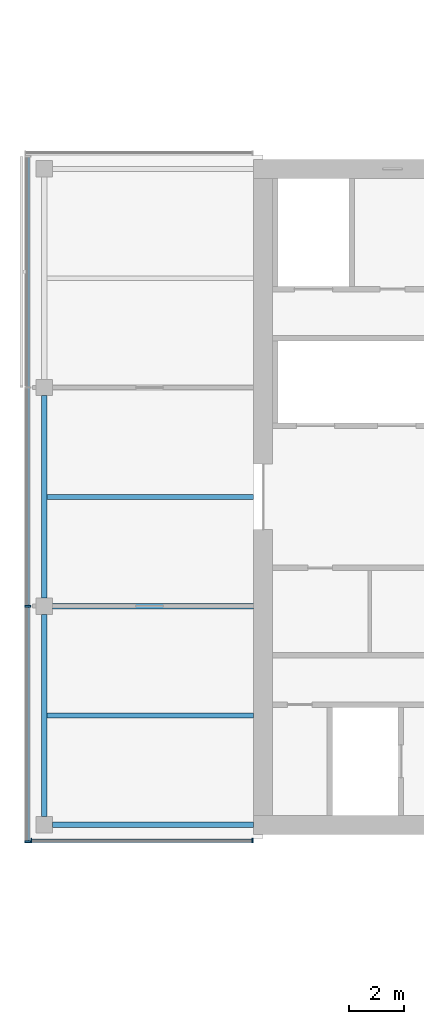
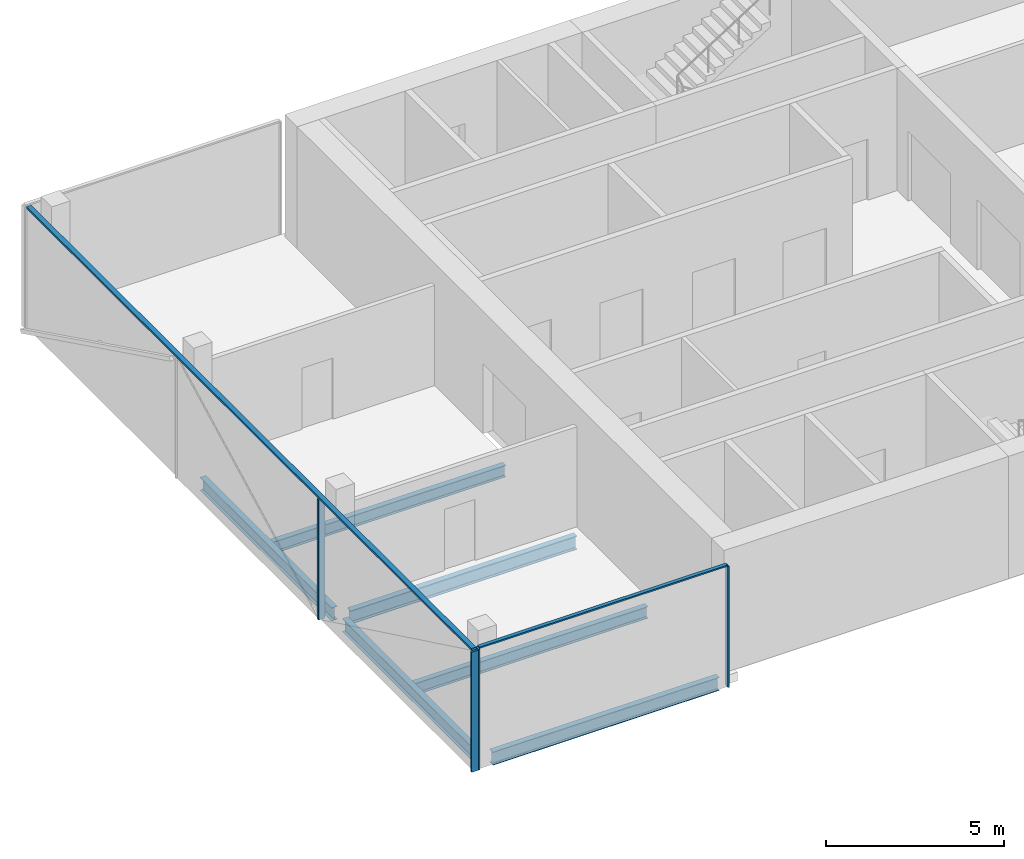
# One storey, part 3 of 22: 6 beams, 6 members, 2 elements without a shape of their own.
"""IFC4 building model written with IfcOpenShell, lengths in metres."""

import ifcopenshell
import ifcopenshell.guid

model = None  # the IFC model being written
_history = None  # IfcOwnerHistory: only IFC2X3 demands one
_inside = {}  # id of a spatial element -> (the spatial element, [elements in it])
_under = {}  # id of a project, library or spatial element -> (it, [spatial elements below it])
_declared = {}  # id of a project -> (the project, [libraries it declares])
_typed = {}  # id of a type object -> (the type object, [elements of that type])
_made_of = {}  # id of a material, layer set ... -> (it, [elements and type objects made of it])


def new_model(schema):
    """Start an empty IFC model of exactly this schema.

    Asked for "IFC4X3", IfcOpenShell would pick the latest addendum, in which some entities
    have other attributes; the version numbers below select the first issue.
    IFC2X3 requires an IfcOwnerHistory on every rooted entity: one is made here for all.
    """
    global model, _history
    if schema == "IFC4X3":
        model = ifcopenshell.file(schema_version=(4, 3, 0, 0))
    else:
        model = ifcopenshell.file(schema=schema)
    _inside.clear()
    _under.clear()
    _declared.clear()
    _typed.clear()
    _made_of.clear()
    _history = None
    if model.schema == "IFC2X3":
        org = make("IfcOrganization", Name="unknown")
        user = make(
            "IfcPersonAndOrganization",
            ThePerson=make("IfcPerson", FamilyName="unknown"),
            TheOrganization=org,
        )
        app = make(
            "IfcApplication",
            ApplicationDeveloper=org,
            Version="unknown",
            ApplicationFullName="unknown",
            ApplicationIdentifier="unknown",
        )
        _history = make(
            "IfcOwnerHistory",
            OwningUser=user,
            OwningApplication=app,
            ChangeAction="ADDED",
            CreationDate=0,
        )
    return model


def make(cls, **values):
    """One entity of the class cls with the attributes given. An attribute that is None is left unset."""
    return model.create_entity(
        cls, **{name: value for name, value in values.items() if value is not None}
    )


def rooted(cls, **values):
    """An entity with a GlobalId (a new one), such as an element, a storey or a relation."""
    return make(cls, GlobalId=ifcopenshell.guid.new(), OwnerHistory=_history, **values)


def si_unit(unit_type, name, prefix=None):
    """IfcSIUnit, for example si_unit("LENGTHUNIT", "METRE", prefix="MILLI")."""
    return make("IfcSIUnit", UnitType=unit_type, Prefix=prefix, Name=name)


def assignment(units):
    """IfcUnitAssignment: the units of a project."""
    return None if units is None else make("IfcUnitAssignment", Units=units)


def point(xyz):
    """IfcCartesianPoint."""
    return None if xyz is None else make("IfcCartesianPoint", Coordinates=xyz)


def direction(xyz):
    """IfcDirection."""
    return None if xyz is None else make("IfcDirection", DirectionRatios=xyz)


def frame(location, z_axis=None, x_axis=None):
    """IfcAxis2Placement3D, a coordinate frame: its origin and axes. An axis left out is left unset."""
    return make(
        "IfcAxis2Placement3D",
        Location=point(location),
        Axis=direction(z_axis),
        RefDirection=direction(x_axis),
    )


def frame_2d(location, x_axis=None):
    """IfcAxis2Placement2D, a coordinate frame in the plane: its origin and x axis."""
    return make(
        "IfcAxis2Placement2D", Location=point(location), RefDirection=direction(x_axis)
    )


def origin():
    """The frame at (0, 0, 0) with its axes left unset."""
    return frame((0.0, 0.0, 0.0))


def origin_2d():
    """The frame at (0, 0) in the plane with its x axis left unset."""
    return frame_2d((0.0, 0.0))


def place(relative_to, where):
    """IfcLocalPlacement: puts the frame where relative to a parent placement (None: the world)."""
    return make(
        "IfcLocalPlacement", PlacementRelTo=relative_to, RelativePlacement=where
    )


def context(
    kind, dimensions, precision=None, world=None, true_north=None, identifier=None
):
    """IfcGeometricRepresentationContext, for example the 3D "Model" context."""
    return make(
        "IfcGeometricRepresentationContext",
        ContextIdentifier=identifier,
        ContextType=kind,
        CoordinateSpaceDimension=dimensions,
        Precision=precision,
        WorldCoordinateSystem=world,
        TrueNorth=true_north,
    )


def subcontext(parent, identifier, kind, view, scale=None):
    """IfcGeometricRepresentationSubContext, for example "Body" below "Model"."""
    return make(
        "IfcGeometricRepresentationSubContext",
        ContextIdentifier=identifier,
        ContextType=kind,
        ParentContext=parent,
        TargetScale=scale,
        TargetView=view,
    )


def project(units=None, contexts=None):
    """IfcProject with its units and contexts."""
    return rooted(
        "IfcProject",
        Name="project",
        RepresentationContexts=contexts,
        UnitsInContext=assignment(units),
    )


def spatial(cls, under=None, at=None, **own):
    """A site, building, storey or space (cls), placed at a placement, below another one or the project."""
    s = rooted(cls, ObjectPlacement=at, **own)
    if under is not None:
        _under.setdefault(under.id(), (under, []))[1].append(s)
    return s


def profile(cls, at=None, kind="AREA", **sizes):
    """A parametric profile (cls). Its sizes go by their IFC names, for example OverallWidth=200.0."""
    return make(cls, ProfileType=kind, Position=at, **sizes)


def rectangle(**sizes):
    """IfcRectangleProfileDef."""
    return profile("IfcRectangleProfileDef", **sizes)


def i_section(**sizes):
    """IfcIShapeProfileDef."""
    return profile("IfcIShapeProfileDef", **sizes)


def extrude(swept, where, along, depth):
    """IfcExtrudedAreaSolid: the profile swept, set in the frame where, extruded along a direction by depth."""
    return make(
        "IfcExtrudedAreaSolid",
        SweptArea=swept,
        Position=where,
        ExtrudedDirection=direction(along),
        Depth=depth,
    )


def shape(context_of_items, identifier, shape_type, items):
    """IfcShapeRepresentation: the items that make up one representation, for example the "Body"."""
    return make(
        "IfcShapeRepresentation",
        ContextOfItems=context_of_items,
        RepresentationIdentifier=identifier,
        RepresentationType=shape_type,
        Items=items,
    )


def material(Name=None, Category=None):
    """IfcMaterial."""
    return make("IfcMaterial", Name=Name, Category=Category)


def material_profile(
    of_material, cross_section, Name=None, Category=None, Priority=None
):
    """IfcMaterialProfile: a cross section and its material."""
    return make(
        "IfcMaterialProfile",
        Name=Name,
        Material=of_material,
        Profile=cross_section,
        Priority=Priority,
        Category=Category,
    )


def profile_set(profiles, Name=None, composite=None):
    """IfcMaterialProfileSet."""
    return make(
        "IfcMaterialProfileSet",
        Name=Name,
        MaterialProfiles=profiles,
        CompositeProfile=composite,
    )


def made_of(thing, what):
    """Note that an element or type object is made of a material, layer set ...; save() writes the relation."""
    if what is not None:
        _made_of.setdefault(what.id(), (what, []))[1].append(thing)
    return thing


def type_object(cls, material=None, **own):
    """A type object (cls), such as IfcWallType, which elements share."""
    return made_of(rooted(cls, **own), material)


def element(
    cls,
    number,
    at=None,
    inside=None,
    cuts=None,
    type_object=None,
    material=None,
    context=None,
    identifier="Body",
    shape_type=None,
    held_by="IfcProductDefinitionShape",
    body=None,
    shapes=None,
    **own,
):
    """One element of the class cls, such as IfcWall. Its Tag is "e" and its number.

    at: its placement. inside: the storey or other place that contains it. cuts: it is an
    opening in that element (IfcRelVoidsElement). A single representation is given by context,
    identifier, shape_type and body (its items); several are given by shapes. held_by: the class
    of the entity that holds the representations. save() writes the other relations.
    """
    e = rooted(cls, Tag="e%d" % number, ObjectPlacement=at, **own)
    if body is not None:
        shapes = [shape(context, identifier, shape_type, body)]
    if shapes is not None:
        e.Representation = make(held_by, Representations=shapes)
    if inside is not None:
        _inside.setdefault(inside.id(), (inside, []))[1].append(e)
    if cuts is not None:
        rooted(
            "IfcRelVoidsElement", RelatingBuildingElement=cuts, RelatedOpeningElement=e
        )
    if type_object is not None:
        _typed.setdefault(type_object.id(), (type_object, []))[1].append(e)
    return made_of(e, material)


def aggregate(whole, parts):
    """IfcRelAggregates: a whole, such as a stair, and the parts it consists of."""
    return rooted("IfcRelAggregates", RelatingObject=whole, RelatedObjects=parts)


def save(model, path):
    """Write the relations noted so far, then the file.

    IfcRelAggregates (storeys below a building ...), IfcRelContainedInSpatialStructure (elements
    in a storey), IfcRelDefinesByType, IfcRelAssociatesMaterial and IfcRelDeclares: one each for
    every whole, place, type object, material and project.
    """
    for whole, parts in _under.values():
        aggregate(whole, parts)
    for where, things in _inside.values():
        rooted(
            "IfcRelContainedInSpatialStructure",
            RelatedElements=things,
            RelatingStructure=where,
        )
    for kind, things in _typed.values():
        rooted("IfcRelDefinesByType", RelatedObjects=things, RelatingType=kind)
    for what, things in _made_of.values():
        rooted("IfcRelAssociatesMaterial", RelatedObjects=things, RelatingMaterial=what)
    for by, libraries in _declared.values():
        rooted("IfcRelDeclares", RelatingContext=by, RelatedDefinitions=libraries)
    model.write(path)


model = new_model("IFC4")

# Units and contexts
model_context = context("Model", 3, precision=1e-05, world=origin(), true_north=direction((0.0, 1.0)))
body_context = subcontext(model_context, "Body", "Model", "MODEL_VIEW")
ifc_project = project(units=[si_unit("LENGTHUNIT", "METRE"), si_unit("AREAUNIT", "SQUARE_METRE"), si_unit("VOLUMEUNIT", "CUBIC_METRE"), si_unit("PLANEANGLEUNIT", "RADIAN"), si_unit("MASSUNIT", "GRAM", prefix="KILO")], contexts=[model_context])

# Site, building, storey
site_placement = place(None, origin())
site = spatial("IfcSite", under=ifc_project, at=site_placement, CompositionType="ELEMENT")
building_placement = place(site_placement, origin())
building = spatial("IfcBuilding", under=site, at=building_placement, Name="Crosswind Convention Tower", CompositionType="ELEMENT")
storey_placement = place(building_placement, frame((0.0, 0.0, 154.699951171875)))
storey = spatial("IfcBuildingStorey", under=building, at=storey_placement, Name="L32", CompositionType="ELEMENT", Elevation=154.699951171875)

# Beams
ifc_material_1 = material(Name="Steel S355", Category="steel")
ifc_material_profile_1 = material_profile(ifc_material_1, i_section(OverallWidth=0.18994140625, OverallDepth=0.45361328125, WebThickness=0.008544921875, FlangeThickness=0.0126953125, FilletRadius=0.01025390625, at=origin_2d()), Name="UB 457x191x67")
ifc_profile_set_1 = profile_set([ifc_material_profile_1], Name="Steel S355")
beam_type_1 = type_object("IfcBeamType", Name="Edge beam UB 457x191x67", PredefinedType="SPANDREL", material=ifc_profile_set_1)
for number, where, z_axis, x_axis, name in (
    (1, (89.0, 88.300048828125, -0.52685546875), (0.0, 1.0, 0.0), (-1.0, 0.0, 0.0), "B16 L32 edge beam 1"),
    (2, (89.0, 96.300048828125, -0.52685546875), (0.0, 1.0, 0.0), (-1.0, 0.0, 0.0), "B16 L32 edge beam 2"),
):
    element("IfcBeam", number, at=place(storey_placement, frame(where, z_axis=z_axis, x_axis=x_axis)), inside=storey, type_object=beam_type_1, Name=name, PredefinedType="SPANDREL", context=body_context, shape_type="SweptSolid", body=[
        extrude(i_section(OverallWidth=0.18994140625, OverallDepth=0.45361328125, WebThickness=0.008544921875, FlangeThickness=0.0126953125, FilletRadius=0.01025390625, at=origin_2d()), origin(), (0.0, 0.0, 1.0), 7.39990234375),
    ])
beam_1_placement = place(storey_placement, frame((89.300048828125, 88.0, -0.52685546875), z_axis=(1.0, 0.0, 0.0), x_axis=(0.0, 1.0, 0.0)))
element("IfcBeam", 3, at=beam_1_placement, inside=storey, type_object=beam_type_1, Name="B16 L32 edge beam 4", PredefinedType="SPANDREL", context=body_context, shape_type="SweptSolid", body=[
    extrude(i_section(OverallWidth=0.18994140625, OverallDepth=0.45361328125, WebThickness=0.008544921875, FlangeThickness=0.0126953125, FilletRadius=0.01025390625, at=origin_2d()), origin(), (0.0, 0.0, 1.0), 7.349853515625),
])
ifc_material_profile_2 = material_profile(ifc_material_1, i_section(OverallWidth=0.19189453125, OverallDepth=0.463623046875, WebThickness=0.010498046875, FlangeThickness=0.017578125, FilletRadius=0.01025390625, at=origin_2d()), Name="UB 457x191x90")
ifc_profile_set_2 = profile_set([ifc_material_profile_2], Name="Steel S355")
beam_type_2 = type_object("IfcBeamType", Name="Girder at core wall UB 457x191x90", PredefinedType="BEAM", material=ifc_profile_set_2)
beam_2_placement = place(storey_placement, frame((89.300048828125, 96.0, -0.53173828125), z_axis=(1.0, 0.0, 0.0), x_axis=(0.0, 1.0, 0.0)))
element("IfcBeam", 4, at=beam_2_placement, inside=storey, type_object=beam_type_2, Name="B24 L32 girder at core wall 1", PredefinedType="BEAM", context=body_context, shape_type="SweptSolid", body=[
    extrude(i_section(OverallWidth=0.19189453125, OverallDepth=0.463623046875, WebThickness=0.010498046875, FlangeThickness=0.017578125, FilletRadius=0.01025390625, at=origin_2d()), origin(), (0.0, 0.0, 1.0), 7.349853515625),
])

# Curtain wall, members
ifc_material_2 = material(Name="Aluminium unitised curtain wall", Category="aluminium")
curtain_wall_type_1 = type_object("IfcCurtainWallType", Name="CORE END SLOT WALL 160", PredefinedType="USERDEFINED", material=ifc_material_2)
curtain_wall_1_placement = place(storey_placement, origin())
curtain_wall_1 = element("IfcCurtainWall", 5, at=curtain_wall_1_placement, inside=storey, type_object=curtain_wall_type_1, Name="CW6 L32 W-S.1-1 slot", ObjectType="UNITISED", PredefinedType="USERDEFINED")
ifc_material_3 = material(Name="Aluminium mullion", Category="aluminium")
ifc_material_profile_3 = material_profile(ifc_material_3, rectangle(XDim=0.159912109375, YDim=0.050048828125, at=origin_2d()), Name="AL 160X50")
ifc_profile_set_3 = profile_set([ifc_material_profile_3], Name="Aluminium mullion")
member_type_1 = type_object("IfcMemberType", Name="MULLION 50X160", PredefinedType="MULLION", material=ifc_profile_set_3)
member_1_placement = place(storey_placement, frame((88.52490234375, 87.419921875, -0.300048828125), z_axis=(0.0, 0.0, 1.0), x_axis=(0.0, -1.0, 0.0)))
member_1 = element("IfcMember", 6, at=member_1_placement, type_object=member_type_1, Name="CW6 mullion 1", PredefinedType="MULLION", context=body_context, shape_type="SweptSolid", body=[
    extrude(rectangle(XDim=0.159912109375, YDim=0.050048828125, at=origin_2d()), origin(), (0.0, 0.0, 1.0), 4.150146484375),
])
member_2_placement = place(storey_placement, frame((96.625, 87.419921875, -0.300048828125), z_axis=(0.0, 0.0, 1.0), x_axis=(0.0, -1.0, 0.0)))
member_2 = element("IfcMember", 7, at=member_2_placement, type_object=member_type_1, Name="CW6 mullion 2", PredefinedType="MULLION", context=body_context, shape_type="SweptSolid", body=[
    extrude(rectangle(XDim=0.159912109375, YDim=0.050048828125, at=origin_2d()), origin(), (0.0, 0.0, 1.0), 4.150146484375),
])

curtain_wall_type_2 = type_object("IfcCurtainWallType", Name="OFFICE UNITISED WALL 220", PredefinedType="USERDEFINED", material=ifc_material_2)
curtain_wall_2_placement = place(storey_placement, origin())
curtain_wall_2 = element("IfcCurtainWall", 8, at=curtain_wall_2_placement, inside=storey, type_object=curtain_wall_type_2, Name="CW3 L32 W-TIP 1", ObjectType="UNITISED", PredefinedType="USERDEFINED")
ifc_material_profile_4 = material_profile(ifc_material_3, rectangle(XDim=0.219970703125, YDim=0.070068359375, at=origin_2d()), Name="AL 220X70")
ifc_profile_set_4 = profile_set([ifc_material_profile_4], Name="Aluminium mullion")
member_type_2 = type_object("IfcMemberType", Name="MULLION 70X220", PredefinedType="MULLION", material=ifc_profile_set_4)
member_3_placement = place(storey_placement, frame((88.389892578125, 96.0, -0.300048828125), z_axis=(0.0, 0.0, 1.0), x_axis=(-1.0, 0.0, 0.0)))
member_3 = element("IfcMember", 9, at=member_3_placement, type_object=member_type_2, Name="CW3 mullion 3", PredefinedType="MULLION", context=body_context, shape_type="SweptSolid", body=[
    extrude(rectangle(XDim=0.219970703125, YDim=0.070068359375, at=origin_2d()), origin(), (0.0, 0.0, 1.0), 4.130126953125),
])
member_4_placement = place(storey_placement, frame((88.389892578125, 87.375, -0.300048828125), z_axis=(0.0, 0.0, 1.0), x_axis=(-1.0, 0.0, 0.0)))
member_4 = element("IfcMember", 10, at=member_4_placement, type_object=member_type_2, Name="CW3 mullion 4", PredefinedType="MULLION", context=body_context, shape_type="SweptSolid", body=[
    extrude(rectangle(XDim=0.219970703125, YDim=0.070068359375, at=origin_2d()), origin(), (0.0, 0.0, 1.0), 4.130126953125),
])

# Beams
ifc_material_profile_5 = material_profile(ifc_material_1, i_section(OverallWidth=0.177734375, OverallDepth=0.406494140625, WebThickness=0.0078125, FlangeThickness=0.0126953125, FilletRadius=0.01025390625, at=origin_2d()), Name="UB 406x178x60")
ifc_profile_set_5 = profile_set([ifc_material_profile_5], Name="Steel S355")
beam_type_3 = type_object("IfcBeamType", Name="Secondary beam UB 406x178x60", PredefinedType="JOIST", material=ifc_profile_set_5)
for number, where, z_axis, x_axis, name in (
    (11, (89.094970703125, 92.0, -0.503173828125), (1.0, 0.0, 0.0), (0.0, 1.0, 0.0), "B10 L32 secondary beam 1"),
    (12, (89.094970703125, 100.0, -0.503173828125), (1.0, 0.0, 0.0), (0.0, 1.0, 0.0), "B10 L32 secondary beam 2"),
):
    element("IfcBeam", number, at=place(storey_placement, frame(where, z_axis=z_axis, x_axis=x_axis)), inside=storey, type_object=beam_type_3, Name=name, PredefinedType="JOIST", context=body_context, shape_type="SweptSolid", body=[
        extrude(i_section(OverallWidth=0.177734375, OverallDepth=0.406494140625, WebThickness=0.0078125, FlangeThickness=0.0126953125, FilletRadius=0.01025390625, at=origin_2d()), origin(), (0.0, 0.0, 1.0), 7.554931640625),
    ])

# Member
ifc_material_4 = material(Name="Aluminium transom", Category="aluminium")
ifc_material_profile_6 = material_profile(ifc_material_4, rectangle(XDim=0.1201171875, YDim=0.050048828125, at=origin_2d()), Name="AL 120X50")
ifc_profile_set_6 = profile_set([ifc_material_profile_6], Name="Aluminium transom")
member_type_3 = type_object("IfcMemberType", Name="TRANSOM 50X120", PredefinedType="USERDEFINED", material=ifc_profile_set_6)
member_5_placement = place(storey_placement, frame((88.550048828125, 87.419921875, 3.875), z_axis=(1.0, 0.0, 0.0), x_axis=(0.0, 1.0, 0.0)))
member_5 = element("IfcMember", 13, at=member_5_placement, type_object=member_type_3, Name="CW6 transom", ObjectType="TRANSOM", PredefinedType="USERDEFINED", context=body_context, shape_type="SweptSolid", body=[
    extrude(rectangle(XDim=0.1201171875, YDim=0.050048828125, at=origin_2d()), origin(), (0.0, 0.0, 1.0), 8.050048828125),
])

aggregate(curtain_wall_1, [member_1, member_2, member_5])

ifc_material_profile_7 = material_profile(ifc_material_4, rectangle(XDim=0.159912109375, YDim=0.070068359375, at=origin_2d()), Name="AL 160X70")
ifc_profile_set_7 = profile_set([ifc_material_profile_7], Name="Aluminium transom")
member_type_4 = type_object("IfcMemberType", Name="TRANSOM 70X160", PredefinedType="USERDEFINED", material=ifc_profile_set_7)
member_6_placement = place(storey_placement, frame((88.389892578125, 112.429931640625, 3.864990234375), z_axis=(0.0, -1.0, 0.0), x_axis=(1.0, 0.0, 0.0)))
member_6 = element("IfcMember", 14, at=member_6_placement, type_object=member_type_4, Name="CW3 transom", ObjectType="TRANSOM", PredefinedType="USERDEFINED", context=body_context, shape_type="SweptSolid", body=[
    extrude(rectangle(XDim=0.159912109375, YDim=0.070068359375, at=origin_2d()), origin(), (0.0, 0.0, 1.0), 25.02001953125),
])

aggregate(curtain_wall_2, [member_3, member_4, member_6])

save(model, "model.ifc")
